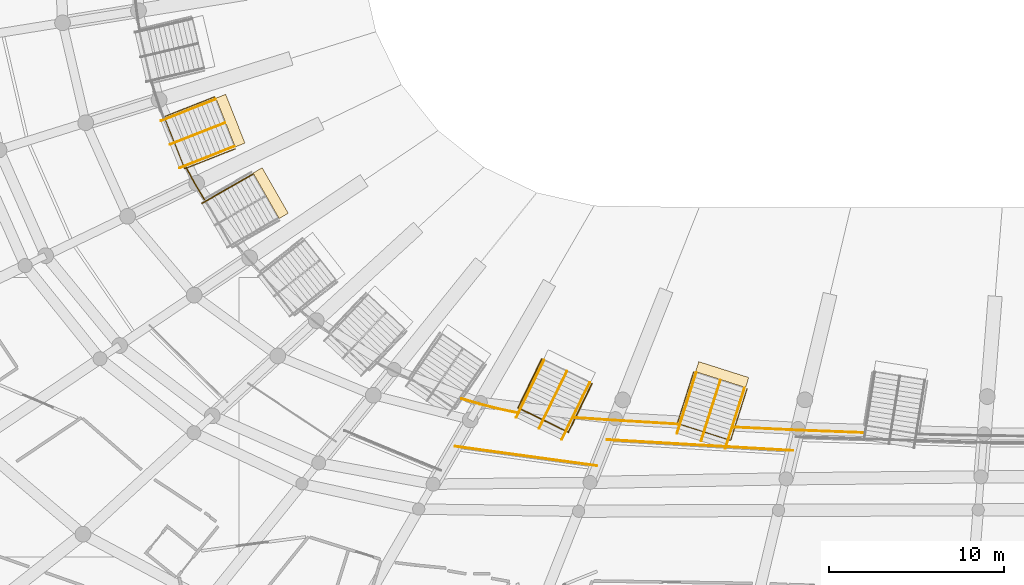
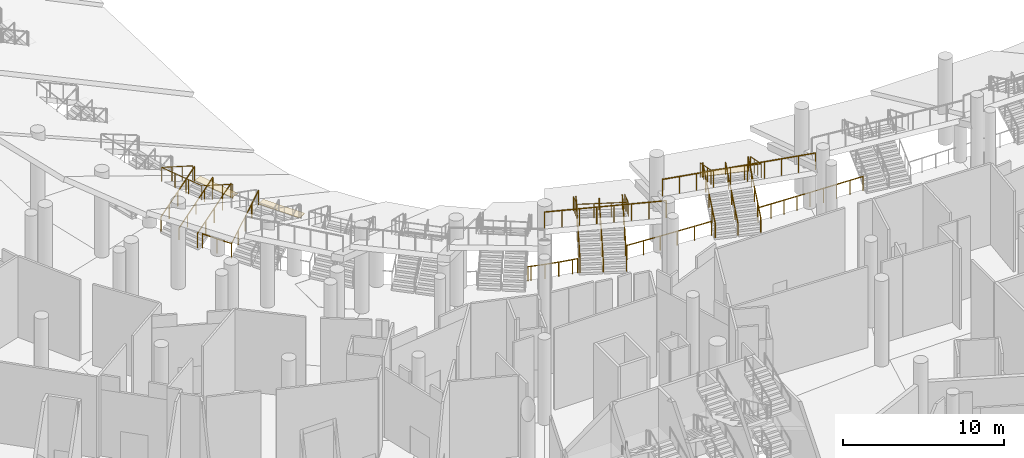
# One storey, part 195 of 255: 19 railings, 3 coverings.
"""IFC4 building model written with IfcOpenShell, lengths in metres."""

from ifc_helpers import new_model, si_unit, direction, frame, origin, origin_2d, place, context, subcontext, project, spatial, rectangle, circle, extrude, material, layer, layer_set, type_object, element, save


model = new_model("IFC4")

# Units and contexts
model_context = context("Model", 3, precision=1e-05, world=origin(), true_north=direction((0.0, 1.0)))
body_context = subcontext(model_context, "Body", "Model", "MODEL_VIEW")
ifc_project = project(units=[si_unit("LENGTHUNIT", "METRE"), si_unit("AREAUNIT", "SQUARE_METRE"), si_unit("VOLUMEUNIT", "CUBIC_METRE"), si_unit("PLANEANGLEUNIT", "RADIAN"), si_unit("MASSUNIT", "GRAM", prefix="KILO")], contexts=[model_context])

# Site, building, storey
site_placement = place(None, origin())
site = spatial("IfcSite", under=ifc_project, at=site_placement, CompositionType="ELEMENT")
building_placement = place(site_placement, origin())
building = spatial("IfcBuilding", under=site, at=building_placement, Name="Meseta Stadium", CompositionType="ELEMENT")
storey_placement = place(building_placement, origin())
storey = spatial("IfcBuildingStorey", under=building, at=storey_placement, Name="L00", CompositionType="ELEMENT", Elevation=0.0)

# Railings
ifc_material_1 = material(Name="Steel S355", Category="steel")
railing_type_1 = type_object("IfcRailingType", Name="Plate edge guard 1100", PredefinedType="GUARDRAIL", material=ifc_material_1)
railing_1_placement = place(storey_placement, frame((-51.01318359375, -57.727783203125, 0.0)))
element("IfcRailing", 1, at=railing_1_placement, inside=storey, type_object=railing_type_1, Name="L00 inner edge guard 40", PredefinedType="GUARDRAIL", context=body_context, shape_type="SweptSolid", body=[
    extrude(circle(Radius=0.02490234375, at=origin_2d()), frame((0.0, 0.0, 1.0751953125), z_axis=(0.478162381039, -0.878271448562, 0.0), x_axis=(0.878271448562, 0.478162381039, 0.0)), (0.0, 0.0, 1.0), 1.066650390625),
    extrude(circle(Radius=0.02490234375, at=origin_2d()), frame((0.510009765625, -0.936767578125, 1.0751953125), z_axis=(0.515642650874, -0.856803744506, 0.0), x_axis=(0.856803744506, 0.515642650874, 0.0)), (0.0, 0.0, 1.0), 1.03271484375),
    extrude(circle(Radius=0.02001953125, at=origin_2d()), origin(), (0.0, 0.0, 1.0), 1.050048828125),
    extrude(circle(Radius=0.02001953125, at=origin_2d()), frame((0.510009765625, -0.936767578125, 0.0)), (0.0, 0.0, 1.0), 1.050048828125),
    extrude(circle(Radius=0.02001953125, at=origin_2d()), frame((1.04248046875, -1.821533203125, 0.0)), (0.0, 0.0, 1.0), 1.050048828125),
])
railing_2_placement = place(storey_placement, frame((-35.254638671875, -70.9462890625, 0.0)))
element("IfcRailing", 2, at=railing_2_placement, inside=storey, type_object=railing_type_1, Name="L00 inner edge guard 44", PredefinedType="GUARDRAIL", context=body_context, shape_type="SweptSolid", body=[
    extrude(circle(Radius=0.02490234375, at=origin_2d()), frame((0.0, 0.0, 1.0751953125), z_axis=(0.950488430053, -0.31075994648, 0.0), x_axis=(0.31075994648, 0.950488430053, 0.0)), (0.0, 0.0, 1.0), 0.201171875),
    extrude(circle(Radius=0.02490234375, at=origin_2d()), frame((0.191162109375, -0.0625, 1.0751953125), z_axis=(0.960046214421, -0.279841501882, 0.0), x_axis=(0.279841501882, 0.960046214421, 0.0)), (0.0, 0.0, 1.0), 0.88720703125),
    extrude(circle(Radius=0.02490234375, at=origin_2d()), frame((1.04296875, -0.310791015625, 1.0751953125), z_axis=(0.968604525516, -0.248606663526, 0.0), x_axis=(0.248606663526, 0.968604525516, 0.0)), (0.0, 0.0, 1.0), 0.888671875),
    extrude(circle(Radius=0.02490234375, at=origin_2d()), frame((1.90380859375, -0.53173828125, 1.0751953125), z_axis=(0.976225779897, -0.216756145621, 0.0), x_axis=(0.216756145621, 0.976225779897, 0.0)), (0.0, 0.0, 1.0), 0.889892578125),
    extrude(circle(Radius=0.02490234375, at=origin_2d()), frame((2.7724609375, -0.724609375, 1.0751953125), z_axis=(0.982708770154, -0.185157967859, 0.0), x_axis=(0.185157967859, 0.982708770154, 0.0)), (0.0, 0.0, 1.0), 0.35595703125),
    extrude(circle(Radius=0.02001953125, at=origin_2d()), origin(), (0.0, 0.0, 1.0), 1.050048828125),
    extrude(circle(Radius=0.02001953125, at=origin_2d()), frame((0.191162109375, -0.0625, 0.0)), (0.0, 0.0, 1.0), 1.050048828125),
    extrude(circle(Radius=0.02001953125, at=origin_2d()), frame((1.04296875, -0.310791015625, 0.0)), (0.0, 0.0, 1.0), 1.050048828125),
    extrude(circle(Radius=0.02001953125, at=origin_2d()), frame((1.90380859375, -0.53173828125, 0.0)), (0.0, 0.0, 1.0), 1.050048828125),
    extrude(circle(Radius=0.02001953125, at=origin_2d()), frame((2.7724609375, -0.724609375, 0.0)), (0.0, 0.0, 1.0), 1.050048828125),
    extrude(circle(Radius=0.02001953125, at=origin_2d()), frame((3.122314453125, -0.79052734375, 0.0)), (0.0, 0.0, 1.0), 1.050048828125),
])
railing_3_placement = place(storey_placement, frame((-28.782958984375, -72.031005859375, 0.0)))
element("IfcRailing", 3, at=railing_3_placement, inside=storey, type_object=railing_type_1, Name="L00 inner edge guard 45", PredefinedType="GUARDRAIL", context=body_context, shape_type="SweptSolid", body=[
    extrude(circle(Radius=0.02490234375, at=origin_2d()), frame((0.0, 0.0, 1.0751953125), z_axis=(0.99784849256, -0.065562076657, 0.0), x_axis=(0.065562076657, 0.99784849256, 0.0)), (0.0, 0.0, 1.0), 2.31982421875),
    extrude(circle(Radius=0.02490234375, at=origin_2d()), frame((2.31494140625, -0.152099609375, 1.0751953125), z_axis=(0.998168496631, -0.060495060402, 0.0), x_axis=(0.060495060402, 0.998168496631, 0.0)), (0.0, 0.0, 1.0), 3.57568359375),
    extrude(circle(Radius=0.02001953125, at=origin_2d()), origin(), (0.0, 0.0, 1.0), 1.050048828125),
    extrude(circle(Radius=0.02001953125, at=origin_2d()), frame((1.157470703125, -0.076171875, 0.0)), (0.0, 0.0, 1.0), 1.050048828125),
    extrude(circle(Radius=0.02001953125, at=origin_2d()), frame((2.31494140625, -0.152099609375, 0.0)), (0.0, 0.0, 1.0), 1.050048828125),
    extrude(circle(Radius=0.02001953125, at=origin_2d()), frame((3.504638671875, -0.22412109375, 0.0)), (0.0, 0.0, 1.0), 1.050048828125),
    extrude(circle(Radius=0.02001953125, at=origin_2d()), frame((4.6943359375, -0.29638671875, 0.0)), (0.0, 0.0, 1.0), 1.050048828125),
    extrude(circle(Radius=0.02001953125, at=origin_2d()), frame((5.884033203125, -0.368408203125, 0.0)), (0.0, 0.0, 1.0), 1.050048828125),
])
railing_4_placement = place(storey_placement, frame((-19.660400390625, -72.5751953125, 0.0)))
element("IfcRailing", 4, at=railing_4_placement, inside=storey, type_object=railing_type_1, Name="L00 inner edge guard 46", PredefinedType="GUARDRAIL", context=body_context, shape_type="SweptSolid", body=[
    extrude(circle(Radius=0.02490234375, at=origin_2d()), frame((0.0, 0.0, 1.0751953125), z_axis=(0.99889955311, -0.04690077607, 0.0), x_axis=(0.04690077607, 0.99889955311, 0.0)), (0.0, 0.0, 1.0), 3.64892578125),
    extrude(circle(Radius=0.02490234375, at=origin_2d()), frame((3.64501953125, -0.171142578125, 1.0751953125), z_axis=(0.999269861076, -0.038206606047, 0.0), x_axis=(0.038206606047, 0.999269861076, 0.0)), (0.0, 0.0, 1.0), 3.725341796875),
    extrude(circle(Radius=0.02001953125, at=origin_2d()), origin(), (0.0, 0.0, 1.0), 1.050048828125),
    extrude(circle(Radius=0.02001953125, at=origin_2d()), frame((0.9111328125, -0.042724609375, 0.0)), (0.0, 0.0, 1.0), 1.050048828125),
    extrude(circle(Radius=0.02001953125, at=origin_2d()), frame((1.822509765625, -0.08544921875, 0.0)), (0.0, 0.0, 1.0), 1.050048828125),
    extrude(circle(Radius=0.02001953125, at=origin_2d()), frame((2.73388671875, -0.12841796875, 0.0)), (0.0, 0.0, 1.0), 1.050048828125),
    extrude(circle(Radius=0.02001953125, at=origin_2d()), frame((3.64501953125, -0.171142578125, 0.0)), (0.0, 0.0, 1.0), 1.050048828125),
    extrude(circle(Radius=0.02001953125, at=origin_2d()), frame((4.57568359375, -0.206787109375, 0.0)), (0.0, 0.0, 1.0), 1.050048828125),
    extrude(circle(Radius=0.02001953125, at=origin_2d()), frame((5.50634765625, -0.2421875, 0.0)), (0.0, 0.0, 1.0), 1.050048828125),
    extrude(circle(Radius=0.02001953125, at=origin_2d()), frame((6.43701171875, -0.27783203125, 0.0)), (0.0, 0.0, 1.0), 1.050048828125),
    extrude(circle(Radius=0.02001953125, at=origin_2d()), frame((7.36767578125, -0.3134765625, 0.0)), (0.0, 0.0, 1.0), 1.050048828125),
])
ifc_material_2 = material(Name="Steel S355", Category="steel")
railing_type_2 = type_object("IfcRailingType", Name="Stand rear guard 1300", PredefinedType="GUARDRAIL", material=ifc_material_2)
railing_5_placement = place(storey_placement, frame((-35.636474609375, -73.67138671875, 5.738525390625)))
element("IfcRailing", 5, at=railing_5_placement, inside=storey, type_object=railing_type_2, Name="Stand lower tier rear guard bay 44", PredefinedType="GUARDRAIL", context=body_context, shape_type="SweptSolid", body=[
    extrude(circle(Radius=0.02490234375, at=origin_2d()), frame((0.0, 0.0, 1.27490234375), z_axis=(0.978469998435, -0.133688963912, -0.157237791549), x_axis=(0.135372898361, 0.99079472061, 0.0)), (0.0, 0.0, 1.0), 8.28369140625),
    extrude(circle(Radius=0.02001953125, at=origin_2d()), origin(), (0.0, 0.0, 1.0), 1.25),
    extrude(circle(Radius=0.02001953125, at=origin_2d()), frame((1.157958984375, -0.158203125, -0.18603515625)), (0.0, 0.0, 1.0), 1.25),
    extrude(circle(Radius=0.02001953125, at=origin_2d()), frame((2.315673828125, -0.31640625, -0.3720703125)), (0.0, 0.0, 1.0), 1.25),
    extrude(circle(Radius=0.02001953125, at=origin_2d()), frame((3.4736328125, -0.474609375, -0.55810546875)), (0.0, 0.0, 1.0), 1.25),
    extrude(circle(Radius=0.02001953125, at=origin_2d()), frame((4.631591796875, -0.6328125, -0.744384765625)), (0.0, 0.0, 1.0), 1.25),
    extrude(circle(Radius=0.02001953125, at=origin_2d()), frame((5.78955078125, -0.791015625, -0.930419921875)), (0.0, 0.0, 1.0), 1.25),
    extrude(circle(Radius=0.02001953125, at=origin_2d()), frame((6.947265625, -0.94921875, -1.116455078125)), (0.0, 0.0, 1.0), 1.25),
    extrude(circle(Radius=0.02001953125, at=origin_2d()), frame((8.105224609375, -1.107421875, -1.302490234375)), (0.0, 0.0, 1.0), 1.25),
])
railing_6_placement = place(storey_placement, frame((-26.941162109375, -73.291748046875, 4.943603515625)))
element("IfcRailing", 6, at=railing_6_placement, inside=storey, type_object=railing_type_2, Name="Stand lower tier rear guard bay 45", PredefinedType="GUARDRAIL", context=body_context, shape_type="SweptSolid", body=[
    extrude(circle(Radius=0.02490234375, at=origin_2d()), frame((0.0, 0.0, 1.27490234375), z_axis=(0.990502676823, -0.05772016931, -0.124791142557), x_axis=(0.058174920753, 0.998306405166, 0.0)), (0.0, 0.0, 1.0), 10.730712890625),
    extrude(circle(Radius=0.02001953125, at=origin_2d()), origin(), (0.0, 0.0, 1.0), 1.25),
    extrude(circle(Radius=0.02001953125, at=origin_2d()), frame((1.180908203125, -0.06884765625, -0.148681640625)), (0.0, 0.0, 1.0), 1.25),
    extrude(circle(Radius=0.02001953125, at=origin_2d()), frame((2.362060546875, -0.1376953125, -0.297607421875)), (0.0, 0.0, 1.0), 1.25),
    extrude(circle(Radius=0.02001953125, at=origin_2d()), frame((3.54296875, -0.20654296875, -0.4462890625)), (0.0, 0.0, 1.0), 1.25),
    extrude(circle(Radius=0.02001953125, at=origin_2d()), frame((4.723876953125, -0.275390625, -0.59521484375)), (0.0, 0.0, 1.0), 1.25),
    extrude(circle(Radius=0.02001953125, at=origin_2d()), frame((5.905029296875, -0.343994140625, -0.743896484375)), (0.0, 0.0, 1.0), 1.25),
    extrude(circle(Radius=0.02001953125, at=origin_2d()), frame((7.0859375, -0.412841796875, -0.892822265625)), (0.0, 0.0, 1.0), 1.25),
    extrude(circle(Radius=0.02001953125, at=origin_2d()), frame((8.266845703125, -0.481689453125, -1.04150390625)), (0.0, 0.0, 1.0), 1.25),
    extrude(circle(Radius=0.02001953125, at=origin_2d()), frame((9.447998046875, -0.550537109375, -1.1904296875)), (0.0, 0.0, 1.0), 1.25),
    extrude(circle(Radius=0.02001953125, at=origin_2d()), frame((10.62890625, -0.619384765625, -1.339111328125)), (0.0, 0.0, 1.0), 1.25),
])

# Coverings
ifc_material_3 = material(Name="Stone paving", Category="masonry")
ifc_layer = layer(ifc_material_3, 0.02001953125)
ifc_layer_set = layer_set([ifc_layer], Name="Vomitory exit threshold plate 20")
covering_type = type_object("IfcCoveringType", Name="Vomitory exit threshold plate 20", PredefinedType="FLOORING", material=ifc_layer_set)
for number, where, z_axis, x_axis, name in (
    (7, (-48.48193359375, -55.041748046875, 2.11767578125), (0.0, 0.0, 1.0), (0.930263326339, 0.366892550576, 0.0), "Vomitory V-lower-39 exit threshold"),
    (8, (-46.180908203125, -59.187744140625, 2.168212890625), (0.0, 0.0, 1.0), (0.867711670531, 0.497067859376, 0.0), "Vomitory V-lower-40 exit threshold"),
    (9, (-20.3525390625, -69.566650390625, 2.270263671875), (0.0, 0.0, 1.0), (0.302579501013, 0.953124150133, 0.0), "Vomitory V-lower-45 exit threshold"),
):
    element("IfcCovering", number, at=place(storey_placement, frame(where, z_axis=z_axis, x_axis=x_axis)), inside=storey, type_object=covering_type, Name=name, PredefinedType="FLOORING", context=body_context, shape_type="SweptSolid", body=[
        extrude(rectangle(XDim=0.60009765625, YDim=3.0, at=origin_2d()), origin(), (0.0, 0.0, 1.0), 0.02001953125),
    ])

# Railings
ifc_material_4 = material(Name="Steel S355", Category="steel")
railing_type_3 = type_object("IfcRailingType", Name="Vomitory slot guard 1100", PredefinedType="GUARDRAIL", material=ifc_material_4)
railing_7_placement = place(storey_placement, frame((-48.21240234375, -56.6552734375, 2.1376953125)))
element("IfcRailing", 10, at=railing_7_placement, inside=storey, type_object=railing_type_3, Name="Vomitory V-lower-39 slot guard", PredefinedType="GUARDRAIL", context=body_context, shape_type="SweptSolid", body=[
    extrude(circle(Radius=0.02490234375, at=origin_2d()), frame((0.0, 0.0, 1.0751953125), z_axis=(-0.828742044114, -0.326810061081, 0.454292646092), x_axis=(0.366850918645, -0.930279744748, 0.0)), (0.0, 0.0, 1.0), 3.479736328125),
    extrude(circle(Radius=0.02490234375, at=origin_2d()), frame((-2.8837890625, -1.13720703125, 2.65576171875), z_axis=(-0.366926787792, 0.930249822575, 0.0), x_axis=(-0.930249822575, -0.366926787792, 0.0)), (0.0, 0.0, 1.0), 3.19970703125),
    extrude(circle(Radius=0.02490234375, at=origin_2d()), frame((-4.057861328125, 1.83935546875, 2.65576171875), z_axis=(0.828745013514, 0.326853721998, -0.454255816685), x_axis=(-0.366892194359, 0.93026346683, 0.0)), (0.0, 0.0, 1.0), 3.47998046875),
    extrude(circle(Radius=0.02001953125, at=origin_2d()), origin(), (0.0, 0.0, 1.0), 1.050048828125),
    extrude(circle(Radius=0.02001953125, at=origin_2d()), frame((-0.961181640625, -0.379150390625, 0.52685546875)), (0.0, 0.0, 1.0), 1.050048828125),
    extrude(circle(Radius=0.02001953125, at=origin_2d()), frame((-1.922607421875, -0.758056640625, 1.053955078125)), (0.0, 0.0, 1.0), 1.050048828125),
    extrude(circle(Radius=0.02001953125, at=origin_2d()), frame((-2.8837890625, -1.13720703125, 1.580810546875)), (0.0, 0.0, 1.0), 1.050048828125),
    extrude(circle(Radius=0.02001953125, at=origin_2d()), frame((-3.275146484375, -0.14501953125, 1.580810546875)), (0.0, 0.0, 1.0), 1.050048828125),
    extrude(circle(Radius=0.02001953125, at=origin_2d()), frame((-3.66650390625, 0.84716796875, 1.580810546875)), (0.0, 0.0, 1.0), 1.050048828125),
    extrude(circle(Radius=0.02001953125, at=origin_2d()), frame((-4.057861328125, 1.83935546875, 1.580810546875)), (0.0, 0.0, 1.0), 1.050048828125),
    extrude(circle(Radius=0.02001953125, at=origin_2d()), frame((-3.096435546875, 2.218505859375, 1.053955078125)), (0.0, 0.0, 1.0), 1.050048828125),
    extrude(circle(Radius=0.02001953125, at=origin_2d()), frame((-2.13525390625, 2.59765625, 0.52685546875)), (0.0, 0.0, 1.0), 1.050048828125),
    extrude(circle(Radius=0.02001953125, at=origin_2d()), frame((-1.173828125, 2.976806640625, 0.0)), (0.0, 0.0, 1.0), 1.050048828125),
])
railing_8_placement = place(storey_placement, frame((-27.79833984375, -70.07861328125, 2.3408203125)))
element("IfcRailing", 11, at=railing_8_placement, inside=storey, type_object=railing_type_3, Name="Vomitory V-lower-44 slot guard", PredefinedType="GUARDRAIL", context=body_context, shape_type="SweptSolid", body=[
    extrude(circle(Radius=0.02490234375, at=origin_2d()), frame((0.0, 0.0, 1.0751953125), z_axis=(-0.390159093571, -0.800875032028, 0.454285224037), x_axis=(0.898994639312, -0.437959631118, 0.0)), (0.0, 0.0, 1.0), 3.479736328125),
    extrude(circle(Radius=0.02490234375, at=origin_2d()), frame((-1.357666015625, -2.786865234375, 2.65576171875), z_axis=(-0.899017594614, 0.437912507899, 0.0), x_axis=(-0.437912507899, -0.899017594614, 0.0)), (0.0, 0.0, 1.0), 3.2001953125),
    extrude(circle(Radius=0.02490234375, at=origin_2d()), frame((-4.234619140625, -1.385498046875, 2.65576171875), z_axis=(0.390159093571, 0.800875032028, -0.454285224037), x_axis=(-0.898994639312, 0.437959631118, 0.0)), (0.0, 0.0, 1.0), 3.479736328125),
    extrude(circle(Radius=0.02001953125, at=origin_2d()), origin(), (0.0, 0.0, 1.0), 1.050048828125),
    extrude(circle(Radius=0.02001953125, at=origin_2d()), frame((-0.45263671875, -0.928955078125, 0.52685546875)), (0.0, 0.0, 1.0), 1.050048828125),
    extrude(circle(Radius=0.02001953125, at=origin_2d()), frame((-0.905029296875, -1.85791015625, 1.053955078125)), (0.0, 0.0, 1.0), 1.050048828125),
    extrude(circle(Radius=0.02001953125, at=origin_2d()), frame((-1.357666015625, -2.786865234375, 1.580810546875)), (0.0, 0.0, 1.0), 1.050048828125),
    extrude(circle(Radius=0.02001953125, at=origin_2d()), frame((-2.316650390625, -2.31982421875, 1.580810546875)), (0.0, 0.0, 1.0), 1.050048828125),
    extrude(circle(Radius=0.02001953125, at=origin_2d()), frame((-3.275634765625, -1.8525390625, 1.580810546875)), (0.0, 0.0, 1.0), 1.050048828125),
    extrude(circle(Radius=0.02001953125, at=origin_2d()), frame((-4.234619140625, -1.385498046875, 1.580810546875)), (0.0, 0.0, 1.0), 1.050048828125),
    extrude(circle(Radius=0.02001953125, at=origin_2d()), frame((-3.781982421875, -0.45654296875, 1.053955078125)), (0.0, 0.0, 1.0), 1.050048828125),
    extrude(circle(Radius=0.02001953125, at=origin_2d()), frame((-3.32958984375, 0.472412109375, 0.52685546875)), (0.0, 0.0, 1.0), 1.050048828125),
    extrude(circle(Radius=0.02001953125, at=origin_2d()), frame((-2.876953125, 1.4013671875, 0.0)), (0.0, 0.0, 1.0), 1.050048828125),
])
railing_9_placement = place(storey_placement, frame((-18.930908203125, -70.376220703125, 2.290283203125)))
element("IfcRailing", 12, at=railing_9_placement, inside=storey, type_object=railing_type_3, Name="Vomitory V-lower-45 slot guard", PredefinedType="GUARDRAIL", context=body_context, shape_type="SweptSolid", body=[
    extrude(circle(Radius=0.02490234375, at=origin_2d()), frame((0.0, 0.0, 1.0751953125), z_axis=(-0.269559287174, -0.849090706242, 0.454293697151), x_axis=(0.95312210395, -0.302585946404, 0.0)), (0.0, 0.0, 1.0), 3.479736328125),
    extrude(circle(Radius=0.02490234375, at=origin_2d()), frame((-0.93798828125, -2.95458984375, 2.65576171875), z_axis=(-0.953117980059, 0.302598936032, 0.0), x_axis=(-0.302598936032, -0.953117980059, 0.0)), (0.0, 0.0, 1.0), 3.19970703125),
    extrude(circle(Radius=0.02490234375, at=origin_2d()), frame((-3.98779296875, -1.986328125, 2.65576171875), z_axis=(0.269543229433, 0.84911028262, -0.454266634716), x_axis=(-0.953129314029, 0.302563234281, 0.0)), (0.0, 0.0, 1.0), 3.47998046875),
    extrude(circle(Radius=0.02001953125, at=origin_2d()), origin(), (0.0, 0.0, 1.0), 1.050048828125),
    extrude(circle(Radius=0.02001953125, at=origin_2d()), frame((-0.312744140625, -0.98486328125, 0.52685546875)), (0.0, 0.0, 1.0), 1.050048828125),
    extrude(circle(Radius=0.02001953125, at=origin_2d()), frame((-0.625244140625, -1.9697265625, 1.053955078125)), (0.0, 0.0, 1.0), 1.050048828125),
    extrude(circle(Radius=0.02001953125, at=origin_2d()), frame((-0.93798828125, -2.95458984375, 1.580810546875)), (0.0, 0.0, 1.0), 1.050048828125),
    extrude(circle(Radius=0.02001953125, at=origin_2d()), frame((-1.95458984375, -2.6318359375, 1.580810546875)), (0.0, 0.0, 1.0), 1.050048828125),
    extrude(circle(Radius=0.02001953125, at=origin_2d()), frame((-2.97119140625, -2.30908203125, 1.580810546875)), (0.0, 0.0, 1.0), 1.050048828125),
    extrude(circle(Radius=0.02001953125, at=origin_2d()), frame((-3.98779296875, -1.986328125, 1.580810546875)), (0.0, 0.0, 1.0), 1.050048828125),
    extrude(circle(Radius=0.02001953125, at=origin_2d()), frame((-3.675048828125, -1.00146484375, 1.053955078125)), (0.0, 0.0, 1.0), 1.050048828125),
    extrude(circle(Radius=0.02001953125, at=origin_2d()), frame((-3.362548828125, -0.016357421875, 0.52685546875)), (0.0, 0.0, 1.0), 1.050048828125),
    extrude(circle(Radius=0.02001953125, at=origin_2d()), frame((-3.0498046875, 0.968505859375, 0.0)), (0.0, 0.0, 1.0), 1.050048828125),
])
ifc_material_5 = material(Name="Steel S355", Category="steel")
railing_type_4 = type_object("IfcRailingType", Name="Vomitory stair guard 1100", PredefinedType="GUARDRAIL", material=ifc_material_5)
railing_10_placement = place(storey_placement, frame((-52.45703125, -55.05078125, 0.164306640625)))
element("IfcRailing", 13, at=railing_10_placement, inside=storey, type_object=railing_type_4, Name="Vomitory V-lower-39 guard left", PredefinedType="GUARDRAIL", context=body_context, shape_type="SweptSolid", body=[
    extrude(circle(Radius=0.02490234375, at=origin_2d()), frame((0.0, 0.0, 1.0751953125), z_axis=(0.80215755683, 0.316339412984, 0.506431268598), x_axis=(-0.366863769713, 0.930274676895, 0.0)), (0.0, 0.0, 1.0), 3.896728515625),
    extrude(circle(Radius=0.02001953125, at=origin_2d()), origin(), (0.0, 0.0, 1.0), 1.050048828125),
    extrude(circle(Radius=0.02001953125, at=origin_2d()), frame((0.781494140625, 0.30810546875, 0.493408203125)), (0.0, 0.0, 1.0), 1.050048828125),
    extrude(circle(Radius=0.02001953125, at=origin_2d()), frame((1.56298828125, 0.6162109375, 0.98681640625)), (0.0, 0.0, 1.0), 1.050048828125),
    extrude(circle(Radius=0.02001953125, at=origin_2d()), frame((2.34423828125, 0.924560546875, 1.47998046875)), (0.0, 0.0, 1.0), 1.050048828125),
    extrude(circle(Radius=0.02001953125, at=origin_2d()), frame((3.125732421875, 1.232666015625, 1.973388671875)), (0.0, 0.0, 1.0), 1.050048828125),
])
railing_11_placement = place(storey_placement, frame((-51.39306640625, -57.74853515625, 0.164306640625)))
element("IfcRailing", 14, at=railing_11_placement, inside=storey, type_object=railing_type_4, Name="Vomitory V-lower-39 guard right", PredefinedType="GUARDRAIL", context=body_context, shape_type="SweptSolid", body=[
    extrude(circle(Radius=0.02490234375, at=origin_2d()), frame((0.0, 0.0, 1.0751953125), z_axis=(0.802141657054, 0.31639579537, 0.50642123049), x_axis=(-0.366926648548, 0.930249877498, 0.0)), (0.0, 0.0, 1.0), 3.896728515625),
    extrude(circle(Radius=0.02001953125, at=origin_2d()), origin(), (0.0, 0.0, 1.0), 1.050048828125),
    extrude(circle(Radius=0.02001953125, at=origin_2d()), frame((0.781494140625, 0.30810546875, 0.493408203125)), (0.0, 0.0, 1.0), 1.050048828125),
    extrude(circle(Radius=0.02001953125, at=origin_2d()), frame((1.56298828125, 0.616455078125, 0.98681640625)), (0.0, 0.0, 1.0), 1.050048828125),
    extrude(circle(Radius=0.02001953125, at=origin_2d()), frame((2.34423828125, 0.9248046875, 1.47998046875)), (0.0, 0.0, 1.0), 1.050048828125),
    extrude(circle(Radius=0.02001953125, at=origin_2d()), frame((3.125732421875, 1.23291015625, 1.973388671875)), (0.0, 0.0, 1.0), 1.050048828125),
])
railing_12_placement = place(storey_placement, frame((-50.113037109375, -59.769287109375, 0.168212890625)))
element("IfcRailing", 15, at=railing_12_placement, inside=storey, type_object=railing_type_4, Name="Vomitory V-lower-40 guard left", PredefinedType="GUARDRAIL", context=body_context, shape_type="SweptSolid", body=[
    extrude(circle(Radius=0.02490234375, at=origin_2d()), frame((0.0, 0.0, 1.0751953125), z_axis=(0.743664228434, 0.426009628765, 0.515246845257), x_axis=(-0.497069824049, 0.867710545066, 0.0)), (0.0, 0.0, 1.0), 3.92041015625),
    extrude(circle(Radius=0.02001953125, at=origin_2d()), origin(), (0.0, 0.0, 1.0), 1.050048828125),
    extrude(circle(Radius=0.02001953125, at=origin_2d()), frame((0.72900390625, 0.41748046875, 0.5048828125)), (0.0, 0.0, 1.0), 1.050048828125),
    extrude(circle(Radius=0.02001953125, at=origin_2d()), frame((1.457763671875, 0.8349609375, 1.010009765625)), (0.0, 0.0, 1.0), 1.050048828125),
    extrude(circle(Radius=0.02001953125, at=origin_2d()), frame((2.1865234375, 1.252685546875, 1.51513671875)), (0.0, 0.0, 1.0), 1.050048828125),
    extrude(circle(Radius=0.02001953125, at=origin_2d()), frame((2.91552734375, 1.670166015625, 2.02001953125)), (0.0, 0.0, 1.0), 1.050048828125),
])
railing_13_placement = place(storey_placement, frame((-32.134521484375, -72.01513671875, 0.167236328125)))
element("IfcRailing", 16, at=railing_13_placement, inside=storey, type_object=railing_type_4, Name="Vomitory V-lower-44 guard left", PredefinedType="GUARDRAIL", context=body_context, shape_type="SweptSolid", body=[
    extrude(circle(Radius=0.02490234375, at=origin_2d()), frame((0.0, 0.0, 1.0751953125), z_axis=(0.376042835266, 0.771837997102, 0.512696686428), x_axis=(-0.898981065754, 0.437987492306, 0.0)), (0.0, 0.0, 1.0), 4.239501953125),
    extrude(circle(Radius=0.02001953125, at=origin_2d()), origin(), (0.0, 0.0, 1.0), 1.050048828125),
    extrude(circle(Radius=0.02001953125, at=origin_2d()), frame((0.3984375, 0.818115234375, 0.54345703125)), (0.0, 0.0, 1.0), 1.050048828125),
    extrude(circle(Radius=0.02001953125, at=origin_2d()), frame((0.797119140625, 1.63623046875, 1.0869140625)), (0.0, 0.0, 1.0), 1.050048828125),
    extrude(circle(Radius=0.02001953125, at=origin_2d()), frame((1.19580078125, 2.4541015625, 1.630126953125)), (0.0, 0.0, 1.0), 1.050048828125),
    extrude(circle(Radius=0.02001953125, at=origin_2d()), frame((1.59423828125, 3.272216796875, 2.173583984375)), (0.0, 0.0, 1.0), 1.050048828125),
])
railing_14_placement = place(storey_placement, frame((-29.527587890625, -73.285400390625, 0.167236328125)))
element("IfcRailing", 17, at=railing_14_placement, inside=storey, type_object=railing_type_4, Name="Vomitory V-lower-44 guard right", PredefinedType="GUARDRAIL", context=body_context, shape_type="SweptSolid", body=[
    extrude(circle(Radius=0.02490234375, at=origin_2d()), frame((0.0, 0.0, 1.0751953125), z_axis=(0.37602612148, 0.771861276005, 0.512673898857), x_axis=(-0.898993931431, 0.437961084172, 0.0)), (0.0, 0.0, 1.0), 4.23974609375),
    extrude(circle(Radius=0.02001953125, at=origin_2d()), origin(), (0.0, 0.0, 1.0), 1.050048828125),
    extrude(circle(Radius=0.02001953125, at=origin_2d()), frame((0.3984375, 0.818115234375, 0.54345703125)), (0.0, 0.0, 1.0), 1.050048828125),
    extrude(circle(Radius=0.02001953125, at=origin_2d()), frame((0.797119140625, 1.63623046875, 1.0869140625)), (0.0, 0.0, 1.0), 1.050048828125),
    extrude(circle(Radius=0.02001953125, at=origin_2d()), frame((1.19580078125, 2.454345703125, 1.630126953125)), (0.0, 0.0, 1.0), 1.050048828125),
    extrude(circle(Radius=0.02001953125, at=origin_2d()), frame((1.59423828125, 3.2724609375, 2.173583984375)), (0.0, 0.0, 1.0), 1.050048828125),
])
railing_15_placement = place(storey_placement, frame((-22.939208984375, -72.922607421875, 0.16357421875)))
element("IfcRailing", 18, at=railing_15_placement, inside=storey, type_object=railing_type_4, Name="Vomitory V-lower-45 guard left", PredefinedType="GUARDRAIL", context=body_context, shape_type="SweptSolid", body=[
    extrude(circle(Radius=0.02490234375, at=origin_2d()), frame((0.0, 0.0, 1.0751953125), z_axis=(0.261234943242, 0.822968250589, 0.504459674258), x_axis=(-0.953132556517, 0.302553019664, 0.0)), (0.0, 0.0, 1.0), 4.2158203125),
    extrude(circle(Radius=0.02001953125, at=origin_2d()), origin(), (0.0, 0.0, 1.0), 1.050048828125),
    extrude(circle(Radius=0.02001953125, at=origin_2d()), frame((0.275390625, 0.867431640625, 0.53173828125)), (0.0, 0.0, 1.0), 1.050048828125),
    extrude(circle(Radius=0.02001953125, at=origin_2d()), frame((0.55078125, 1.73486328125, 1.0634765625)), (0.0, 0.0, 1.0), 1.050048828125),
    extrude(circle(Radius=0.02001953125, at=origin_2d()), frame((0.825927734375, 2.60205078125, 1.594970703125)), (0.0, 0.0, 1.0), 1.050048828125),
    extrude(circle(Radius=0.02001953125, at=origin_2d()), frame((1.101318359375, 3.469482421875, 2.126708984375)), (0.0, 0.0, 1.0), 1.050048828125),
])
railing_16_placement = place(storey_placement, frame((-20.175048828125, -73.800048828125, 0.16357421875)))
element("IfcRailing", 19, at=railing_16_placement, inside=storey, type_object=railing_type_4, Name="Vomitory V-lower-45 guard right", PredefinedType="GUARDRAIL", context=body_context, shape_type="SweptSolid", body=[
    extrude(circle(Radius=0.02490234375, at=origin_2d()), frame((0.0, 0.0, 1.0751953125), z_axis=(0.261247393792, 0.822949560139, 0.504483716986), x_axis=(-0.953126416447, 0.30257236204, 0.0)), (0.0, 0.0, 1.0), 4.215576171875),
    extrude(circle(Radius=0.02001953125, at=origin_2d()), origin(), (0.0, 0.0, 1.0), 1.050048828125),
    extrude(circle(Radius=0.02001953125, at=origin_2d()), frame((0.275390625, 0.8671875, 0.53173828125)), (0.0, 0.0, 1.0), 1.050048828125),
    extrude(circle(Radius=0.02001953125, at=origin_2d()), frame((0.55078125, 1.734619140625, 1.0634765625)), (0.0, 0.0, 1.0), 1.050048828125),
    extrude(circle(Radius=0.02001953125, at=origin_2d()), frame((0.825927734375, 2.60205078125, 1.594970703125)), (0.0, 0.0, 1.0), 1.050048828125),
    extrude(circle(Radius=0.02001953125, at=origin_2d()), frame((1.101318359375, 3.46923828125, 2.126708984375)), (0.0, 0.0, 1.0), 1.050048828125),
])
ifc_material_6 = material(Name="Steel S355", Category="steel")
railing_type_5 = type_object("IfcRailingType", Name="Vomitory stair handrail 900", PredefinedType="HANDRAIL", material=ifc_material_6)
railing_17_placement = place(storey_placement, frame((-51.925048828125, -56.399658203125, 0.164306640625)))
element("IfcRailing", 20, at=railing_17_placement, inside=storey, type_object=railing_type_5, Name="Vomitory V-lower-39 central handrail", PredefinedType="HANDRAIL", context=body_context, shape_type="SweptSolid", body=[
    extrude(circle(Radius=0.02490234375, at=origin_2d()), frame((0.0, 0.0, 0.875), z_axis=(0.80215755683, 0.316339412984, 0.506431268598), x_axis=(-0.366863769713, 0.930274676895, 0.0)), (0.0, 0.0, 1.0), 3.896728515625),
    extrude(circle(Radius=0.02001953125, at=origin_2d()), origin(), (0.0, 0.0, 1.0), 0.849853515625),
    extrude(circle(Radius=0.02001953125, at=origin_2d()), frame((0.781494140625, 0.30810546875, 0.493408203125)), (0.0, 0.0, 1.0), 0.849853515625),
    extrude(circle(Radius=0.02001953125, at=origin_2d()), frame((1.56298828125, 0.6162109375, 0.98681640625)), (0.0, 0.0, 1.0), 0.849853515625),
    extrude(circle(Radius=0.02001953125, at=origin_2d()), frame((2.34423828125, 0.924560546875, 1.47998046875)), (0.0, 0.0, 1.0), 0.849853515625),
    extrude(circle(Radius=0.02001953125, at=origin_2d()), frame((3.125732421875, 1.232666015625, 1.973388671875)), (0.0, 0.0, 1.0), 0.849853515625),
])
railing_18_placement = place(storey_placement, frame((-30.8310546875, -72.650390625, 0.167236328125)))
element("IfcRailing", 21, at=railing_18_placement, inside=storey, type_object=railing_type_5, Name="Vomitory V-lower-44 central handrail", PredefinedType="HANDRAIL", context=body_context, shape_type="SweptSolid", body=[
    extrude(circle(Radius=0.02490234375, at=origin_2d()), frame((0.0, 0.0, 0.875), z_axis=(0.37602612148, 0.771861276005, 0.512673898857), x_axis=(-0.898993931431, 0.437961084172, 0.0)), (0.0, 0.0, 1.0), 4.23974609375),
    extrude(circle(Radius=0.02001953125, at=origin_2d()), origin(), (0.0, 0.0, 1.0), 0.849853515625),
    extrude(circle(Radius=0.02001953125, at=origin_2d()), frame((0.3984375, 0.818115234375, 0.54345703125)), (0.0, 0.0, 1.0), 0.849853515625),
    extrude(circle(Radius=0.02001953125, at=origin_2d()), frame((0.797119140625, 1.63623046875, 1.0869140625)), (0.0, 0.0, 1.0), 0.849853515625),
    extrude(circle(Radius=0.02001953125, at=origin_2d()), frame((1.19580078125, 2.454345703125, 1.630126953125)), (0.0, 0.0, 1.0), 0.849853515625),
    extrude(circle(Radius=0.02001953125, at=origin_2d()), frame((1.59423828125, 3.2724609375, 2.173583984375)), (0.0, 0.0, 1.0), 0.849853515625),
])
railing_19_placement = place(storey_placement, frame((-21.55712890625, -73.361328125, 0.16357421875)))
element("IfcRailing", 22, at=railing_19_placement, inside=storey, type_object=railing_type_5, Name="Vomitory V-lower-45 central handrail", PredefinedType="HANDRAIL", context=body_context, shape_type="SweptSolid", body=[
    extrude(circle(Radius=0.02490234375, at=origin_2d()), frame((0.0, 0.0, 0.875), z_axis=(0.261234943242, 0.822968250589, 0.504459674258), x_axis=(-0.953132556517, 0.302553019664, 0.0)), (0.0, 0.0, 1.0), 4.2158203125),
    extrude(circle(Radius=0.02001953125, at=origin_2d()), origin(), (0.0, 0.0, 1.0), 0.849853515625),
    extrude(circle(Radius=0.02001953125, at=origin_2d()), frame((0.275390625, 0.867431640625, 0.53173828125)), (0.0, 0.0, 1.0), 0.849853515625),
    extrude(circle(Radius=0.02001953125, at=origin_2d()), frame((0.55078125, 1.73486328125, 1.0634765625)), (0.0, 0.0, 1.0), 0.849853515625),
    extrude(circle(Radius=0.02001953125, at=origin_2d()), frame((0.825927734375, 2.60205078125, 1.594970703125)), (0.0, 0.0, 1.0), 0.849853515625),
    extrude(circle(Radius=0.02001953125, at=origin_2d()), frame((1.101318359375, 3.469482421875, 2.126708984375)), (0.0, 0.0, 1.0), 0.849853515625),
])

save(model, "model.ifc")
